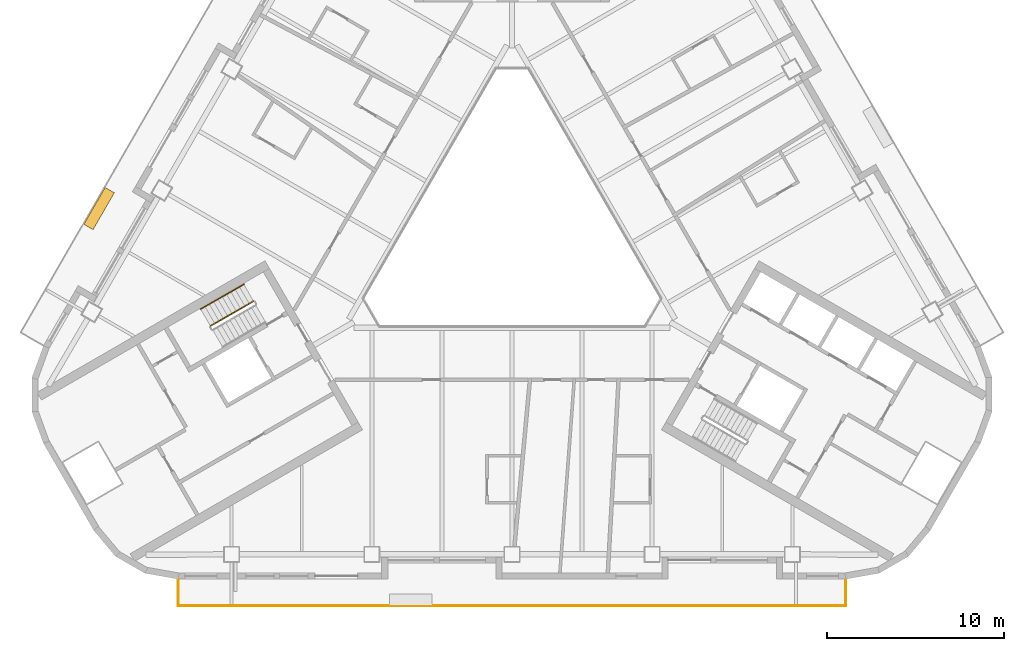
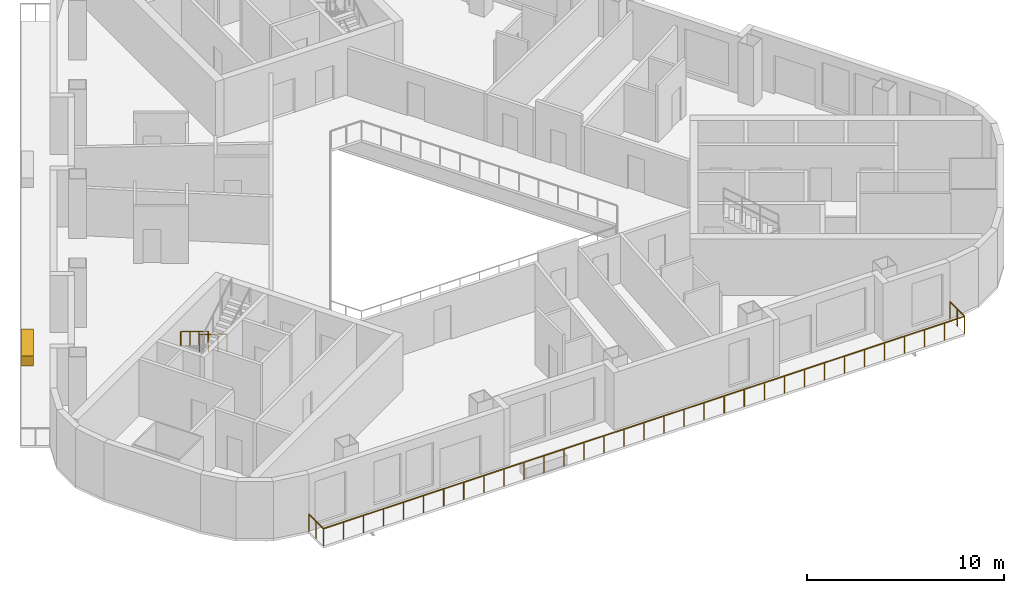
# One storey, part 9 of 13: 3 railings, 1 covering.
"""IFC4 building model written with IfcOpenShell, lengths in metres."""

from ifc_helpers import new_model, si_unit, direction, frame, origin, origin_2d, place, context, subcontext, project, spatial, rectangle, circle, extrude, material, type_object, element, save


model = new_model("IFC4")

# Units and contexts
model_context = context("Model", 3, precision=1e-05, world=origin(), true_north=direction((0.0, 1.0)))
body_context = subcontext(model_context, "Body", "Model", "MODEL_VIEW")
ifc_project = project(units=[si_unit("LENGTHUNIT", "METRE"), si_unit("AREAUNIT", "SQUARE_METRE"), si_unit("VOLUMEUNIT", "CUBIC_METRE"), si_unit("PLANEANGLEUNIT", "RADIAN"), si_unit("MASSUNIT", "GRAM", prefix="KILO")], contexts=[model_context])

# Site, building, storey
site_placement = place(None, origin())
site = spatial("IfcSite", under=ifc_project, at=site_placement, CompositionType="ELEMENT")
building_placement = place(site_placement, origin())
building = spatial("IfcBuilding", under=site, at=building_placement, Name="Apuvela Tower Hotel", CompositionType="ELEMENT")
storey_placement = place(building_placement, frame((0.0, 0.0, 124.199951171875)))
storey = spatial("IfcBuildingStorey", under=building, at=storey_placement, Name="L29", CompositionType="ELEMENT", Elevation=124.199951171875)

# Railings
ifc_material_1 = material(Name="Steel S275 balustrade", Category="steel")
railing_type_1 = type_object("IfcRailingType", Name="COR-GUARD-1100", PredefinedType="GUARDRAIL", material=ifc_material_1)
railing_1_placement = place(storey_placement, frame((-14.569091796875, -3.9658203125, 0.168212890625)))
element("IfcRailing", 1, at=railing_1_placement, inside=storey, type_object=railing_type_1, Name="L29 ST2 stair guard 1", PredefinedType="GUARDRAIL", context=body_context, shape_type="SweptSolid", body=[
    extrude(rectangle(XDim=0.048095703125, YDim=0.048095703125, at=origin_2d()), frame((0.0, 0.0, 1.076171875), z_axis=(-0.742390482028, -0.42860119049, 0.514934356695), x_axis=(0.49998411664, -0.866034573852, 0.0)), (0.0, 0.0, 1.0), 3.26611328125),
    extrude(rectangle(XDim=0.0419921875, YDim=0.0419921875, at=origin_2d()), origin(), (0.0, 0.0, 1.0), 1.052001953125),
    extrude(rectangle(XDim=0.0419921875, YDim=0.0419921875, at=origin_2d()), frame((-0.808349609375, -0.466552734375, 0.560546875)), (0.0, 0.0, 1.0), 1.052001953125),
    extrude(rectangle(XDim=0.0419921875, YDim=0.0419921875, at=origin_2d()), frame((-1.616455078125, -0.933349609375, 1.121337890625)), (0.0, 0.0, 1.0), 1.052001953125),
    extrude(rectangle(XDim=0.0419921875, YDim=0.0419921875, at=origin_2d()), frame((-2.4248046875, -1.39990234375, 1.681884765625)), (0.0, 0.0, 1.0), 1.052001953125),
])
ifc_material_2 = material(Name="Stainless steel 316 handrail", Category="steel")
railing_type_2 = type_object("IfcRailingType", Name="COR-HANDRAIL-900", PredefinedType="HANDRAIL", material=ifc_material_2)
railing_2_placement = place(storey_placement, frame((-15.118896484375, -3.01318359375, 0.168212890625)))
element("IfcRailing", 2, at=railing_2_placement, inside=storey, type_object=railing_type_2, Name="L29 ST2 stair handrail 1", PredefinedType="HANDRAIL", context=body_context, shape_type="SweptSolid", body=[
    extrude(circle(Radius=0.02392578125, at=origin_2d()), frame((0.0, 0.0, 0.8759765625), z_axis=(-0.742424030051, -0.428577407461, 0.514905783049), x_axis=(0.49994636267, -0.866056369097, 0.0)), (0.0, 0.0, 1.0), 3.266357421875),
    extrude(rectangle(XDim=0.0419921875, YDim=0.0419921875, at=origin_2d()), origin(), (0.0, 0.0, 1.0), 0.851806640625),
    extrude(rectangle(XDim=0.0419921875, YDim=0.0419921875, at=origin_2d()), frame((-0.808349609375, -0.466552734375, 0.560546875)), (0.0, 0.0, 1.0), 0.851806640625),
    extrude(rectangle(XDim=0.0419921875, YDim=0.0419921875, at=origin_2d()), frame((-1.61669921875, -0.933349609375, 1.121337890625)), (0.0, 0.0, 1.0), 0.851806640625),
    extrude(rectangle(XDim=0.0419921875, YDim=0.0419921875, at=origin_2d()), frame((-2.425048828125, -1.39990234375, 1.681884765625)), (0.0, 0.0, 1.0), 0.851806640625),
])
ifc_material_3 = material(Name="Stainless steel 316 rail with laminated glass infill", Category="steel")
railing_type_3 = type_object("IfcRailingType", Name="ENV-GUARD-1100", PredefinedType="GUARDRAIL", material=ifc_material_3)
railing_3_placement = place(storey_placement, frame((-18.81591796875, -19.6298828125, 0.0)))
element("IfcRailing", 3, at=railing_3_placement, inside=storey, type_object=railing_type_3, Name="Balcony guard S L29", PredefinedType="GUARDRAIL", context=body_context, shape_type="SweptSolid", body=[
    extrude(rectangle(XDim=0.050048828125, YDim=0.050048828125, at=origin_2d()), frame((0.0, 0.0, 1.0751953125), z_axis=(0.0, -1.0, 0.0), x_axis=(1.0, 0.0, 0.0)), (0.0, 0.0, 1.0), 1.5),
    extrude(rectangle(XDim=0.050048828125, YDim=0.050048828125, at=origin_2d()), frame((0.0, -1.5, 1.0751953125), z_axis=(1.0, 0.0, 0.0), x_axis=(0.0, 1.0, 0.0)), (0.0, 0.0, 1.0), 37.6318359375),
    extrude(rectangle(XDim=0.050048828125, YDim=0.050048828125, at=origin_2d()), frame((37.6318359375, -1.5, 1.0751953125), z_axis=(0.0, 1.0, 0.0), x_axis=(-1.0, 0.0, 0.0)), (0.0, 0.0, 1.0), 1.5),
    extrude(rectangle(XDim=0.0400390625, YDim=0.0400390625, at=origin_2d()), origin(), (0.0, 0.0, 1.0), 1.050048828125),
    extrude(rectangle(XDim=0.0400390625, YDim=0.0400390625, at=origin_2d()), frame((0.0, -0.75, 0.0)), (0.0, 0.0, 1.0), 1.050048828125),
    extrude(rectangle(XDim=0.0400390625, YDim=0.0400390625, at=origin_2d()), frame((0.0, -1.5, 0.0)), (0.0, 0.0, 1.0), 1.050048828125),
    extrude(rectangle(XDim=0.0400390625, YDim=0.0400390625, at=origin_2d()), frame((1.176025390625, -1.5, 0.0)), (0.0, 0.0, 1.0), 1.050048828125),
    extrude(rectangle(XDim=0.0400390625, YDim=0.0400390625, at=origin_2d()), frame((2.35205078125, -1.5, 0.0)), (0.0, 0.0, 1.0), 1.050048828125),
    extrude(rectangle(XDim=0.0400390625, YDim=0.0400390625, at=origin_2d()), frame((3.528076171875, -1.5, 0.0)), (0.0, 0.0, 1.0), 1.050048828125),
    extrude(rectangle(XDim=0.0400390625, YDim=0.0400390625, at=origin_2d()), frame((4.7041015625, -1.5, 0.0)), (0.0, 0.0, 1.0), 1.050048828125),
    extrude(rectangle(XDim=0.0400390625, YDim=0.0400390625, at=origin_2d()), frame((5.8798828125, -1.5, 0.0)), (0.0, 0.0, 1.0), 1.050048828125),
    extrude(rectangle(XDim=0.0400390625, YDim=0.0400390625, at=origin_2d()), frame((7.055908203125, -1.5, 0.0)), (0.0, 0.0, 1.0), 1.050048828125),
    extrude(rectangle(XDim=0.0400390625, YDim=0.0400390625, at=origin_2d()), frame((8.23193359375, -1.5, 0.0)), (0.0, 0.0, 1.0), 1.050048828125),
    extrude(rectangle(XDim=0.0400390625, YDim=0.0400390625, at=origin_2d()), frame((9.407958984375, -1.5, 0.0)), (0.0, 0.0, 1.0), 1.050048828125),
    extrude(rectangle(XDim=0.0400390625, YDim=0.0400390625, at=origin_2d()), frame((10.583984375, -1.5, 0.0)), (0.0, 0.0, 1.0), 1.050048828125),
    extrude(rectangle(XDim=0.0400390625, YDim=0.0400390625, at=origin_2d()), frame((11.760009765625, -1.5, 0.0)), (0.0, 0.0, 1.0), 1.050048828125),
    extrude(rectangle(XDim=0.0400390625, YDim=0.0400390625, at=origin_2d()), frame((12.93603515625, -1.5, 0.0)), (0.0, 0.0, 1.0), 1.050048828125),
    extrude(rectangle(XDim=0.0400390625, YDim=0.0400390625, at=origin_2d()), frame((14.11181640625, -1.5, 0.0)), (0.0, 0.0, 1.0), 1.050048828125),
    extrude(rectangle(XDim=0.0400390625, YDim=0.0400390625, at=origin_2d()), frame((15.287841796875, -1.5, 0.0)), (0.0, 0.0, 1.0), 1.050048828125),
    extrude(rectangle(XDim=0.0400390625, YDim=0.0400390625, at=origin_2d()), frame((16.4638671875, -1.5, 0.0)), (0.0, 0.0, 1.0), 1.050048828125),
    extrude(rectangle(XDim=0.0400390625, YDim=0.0400390625, at=origin_2d()), frame((17.639892578125, -1.5, 0.0)), (0.0, 0.0, 1.0), 1.050048828125),
    extrude(rectangle(XDim=0.0400390625, YDim=0.0400390625, at=origin_2d()), frame((18.81591796875, -1.5, 0.0)), (0.0, 0.0, 1.0), 1.050048828125),
    extrude(rectangle(XDim=0.0400390625, YDim=0.0400390625, at=origin_2d()), frame((19.991943359375, -1.5, 0.0)), (0.0, 0.0, 1.0), 1.050048828125),
    extrude(rectangle(XDim=0.0400390625, YDim=0.0400390625, at=origin_2d()), frame((21.16796875, -1.5, 0.0)), (0.0, 0.0, 1.0), 1.050048828125),
    extrude(rectangle(XDim=0.0400390625, YDim=0.0400390625, at=origin_2d()), frame((22.343994140625, -1.5, 0.0)), (0.0, 0.0, 1.0), 1.050048828125),
    extrude(rectangle(XDim=0.0400390625, YDim=0.0400390625, at=origin_2d()), frame((23.52001953125, -1.5, 0.0)), (0.0, 0.0, 1.0), 1.050048828125),
    extrude(rectangle(XDim=0.0400390625, YDim=0.0400390625, at=origin_2d()), frame((24.69580078125, -1.5, 0.0)), (0.0, 0.0, 1.0), 1.050048828125),
    extrude(rectangle(XDim=0.0400390625, YDim=0.0400390625, at=origin_2d()), frame((25.871826171875, -1.5, 0.0)), (0.0, 0.0, 1.0), 1.050048828125),
    extrude(rectangle(XDim=0.0400390625, YDim=0.0400390625, at=origin_2d()), frame((27.0478515625, -1.5, 0.0)), (0.0, 0.0, 1.0), 1.050048828125),
    extrude(rectangle(XDim=0.0400390625, YDim=0.0400390625, at=origin_2d()), frame((28.223876953125, -1.5, 0.0)), (0.0, 0.0, 1.0), 1.050048828125),
    extrude(rectangle(XDim=0.0400390625, YDim=0.0400390625, at=origin_2d()), frame((29.39990234375, -1.5, 0.0)), (0.0, 0.0, 1.0), 1.050048828125),
    extrude(rectangle(XDim=0.0400390625, YDim=0.0400390625, at=origin_2d()), frame((30.575927734375, -1.5, 0.0)), (0.0, 0.0, 1.0), 1.050048828125),
    extrude(rectangle(XDim=0.0400390625, YDim=0.0400390625, at=origin_2d()), frame((31.751953125, -1.5, 0.0)), (0.0, 0.0, 1.0), 1.050048828125),
    extrude(rectangle(XDim=0.0400390625, YDim=0.0400390625, at=origin_2d()), frame((32.927734375, -1.5, 0.0)), (0.0, 0.0, 1.0), 1.050048828125),
    extrude(rectangle(XDim=0.0400390625, YDim=0.0400390625, at=origin_2d()), frame((34.103759765625, -1.5, 0.0)), (0.0, 0.0, 1.0), 1.050048828125),
    extrude(rectangle(XDim=0.0400390625, YDim=0.0400390625, at=origin_2d()), frame((35.27978515625, -1.5, 0.0)), (0.0, 0.0, 1.0), 1.050048828125),
    extrude(rectangle(XDim=0.0400390625, YDim=0.0400390625, at=origin_2d()), frame((36.455810546875, -1.5, 0.0)), (0.0, 0.0, 1.0), 1.050048828125),
    extrude(rectangle(XDim=0.0400390625, YDim=0.0400390625, at=origin_2d()), frame((37.6318359375, -1.5, 0.0)), (0.0, 0.0, 1.0), 1.050048828125),
    extrude(rectangle(XDim=0.0400390625, YDim=0.0400390625, at=origin_2d()), frame((37.6318359375, -0.75, 0.0)), (0.0, 0.0, 1.0), 1.050048828125),
    extrude(rectangle(XDim=0.0400390625, YDim=0.0400390625, at=origin_2d()), frame((37.6318359375, 0.0, 0.0)), (0.0, 0.0, 1.0), 1.050048828125),
])

# Covering
ifc_material_4 = material(Name="Planting substrate and soil, planted")
covering_type = type_object("IfcCoveringType", Name="ENV-PLANTER-2400x600", PredefinedType="USERDEFINED", material=ifc_material_4)
covering_placement = place(storey_placement, frame((-23.27099609375, 1.25341796875, 0.0), z_axis=(0.0, 0.0, 1.0), x_axis=(-0.5, -0.866025403784, 0.0)))
element("IfcCovering", 4, at=covering_placement, inside=storey, type_object=covering_type, Name="Planter NW4", ObjectType="PLANTER", PredefinedType="USERDEFINED", context=body_context, shape_type="SweptSolid", body=[
    extrude(rectangle(XDim=2.39990234375, YDim=0.60009765625, at=origin_2d()), origin(), (0.0, 0.0, 1.0), 0.60009765625),
])

save(model, "model.ifc")
